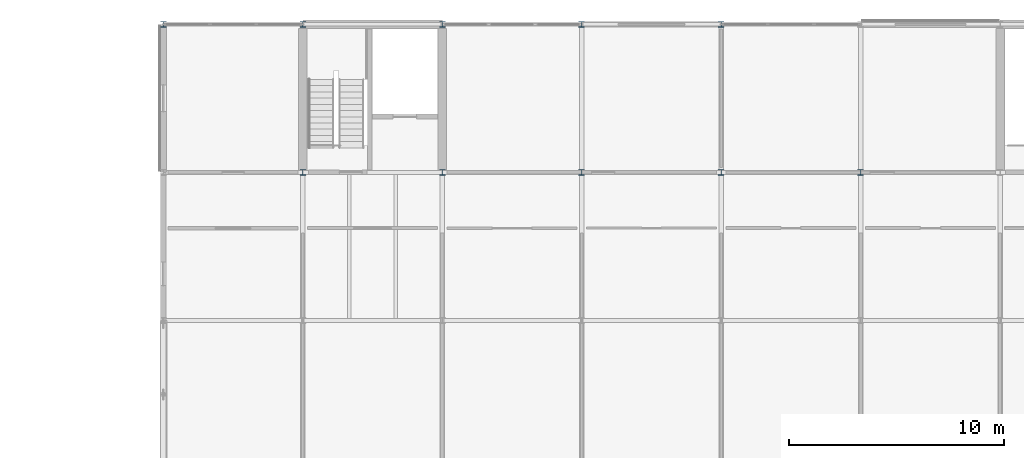
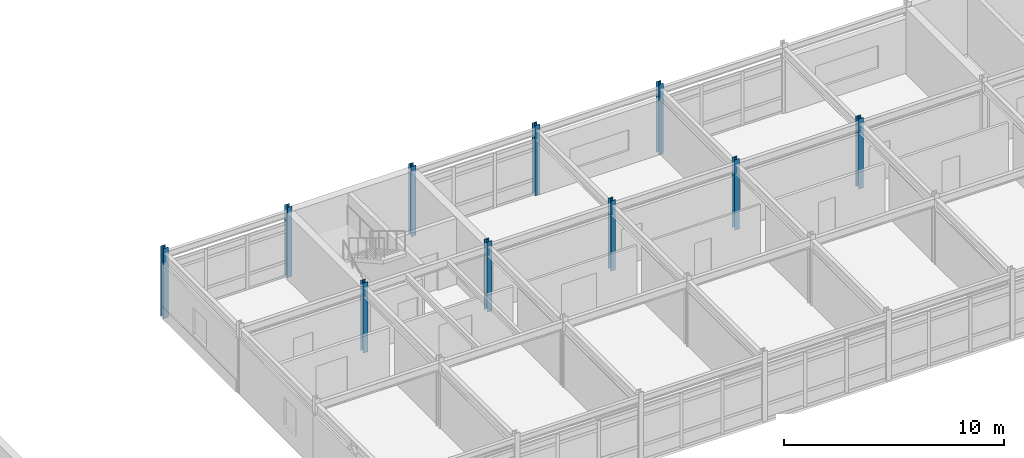
# One storey, part 9 of 57: 10 columns.
"""IFC4 building model written with IfcOpenShell, lengths in metres."""

from ifc_helpers import new_model, si_unit, direction, frame, origin, origin_2d, place, context, subcontext, project, spatial, i_section, extrude, material, material_profile, profile_set, type_object, element, save


model = new_model("IFC4")

# Units and contexts
model_context = context("Model", 3, precision=1e-05, world=origin(), true_north=direction((0.0, 1.0)))
body_context = subcontext(model_context, "Body", "Model", "MODEL_VIEW")
ifc_project = project(units=[si_unit("LENGTHUNIT", "METRE"), si_unit("AREAUNIT", "SQUARE_METRE"), si_unit("VOLUMEUNIT", "CUBIC_METRE"), si_unit("PLANEANGLEUNIT", "RADIAN"), si_unit("MASSUNIT", "GRAM", prefix="KILO")], contexts=[model_context])

# Site, building, storey
site_placement = place(None, origin())
site = spatial("IfcSite", under=ifc_project, at=site_placement, CompositionType="ELEMENT")
building_placement = place(site_placement, origin())
building = spatial("IfcBuilding", under=site, at=building_placement, Name="Trelmorton Wharf Fire Station", CompositionType="ELEMENT")
storey_placement = place(building_placement, frame((0.0, 0.0, 13.5)))
storey = spatial("IfcBuildingStorey", under=building, at=storey_placement, Name="L03", CompositionType="ELEMENT", Elevation=13.5)

# Columns
ifc_material = material(Name="Steel Grade 350", Category="steel")
ifc_material_profile = material_profile(ifc_material, i_section(OverallWidth=0.256103515625, OverallDepth=0.260009765625, WebThickness=0.010498046875, FlangeThickness=0.017333984375, FilletRadius=0.0126953125, at=origin_2d()), Name="250UC89.5")
ifc_profile_set = profile_set([ifc_material_profile], Name="Steel Grade 350")
column_type = type_object("IfcColumnType", Name="COL_250UC89", PredefinedType="COLUMN", material=ifc_profile_set)
for number, where, z_axis, x_axis, name in (
    (1, (104.0, 81.0, 0.0), (0.0, 0.0, 1.0), (1.0, 0.0, 0.0), "COL-L03-0623"),
    (2, (110.5, 74.10009765625, 0.0), (0.0, 0.0, 1.0), (1.0, 0.0, 0.0), "COL-L03-0630"),
    (3, (110.5, 81.0, 0.0), (0.0, 0.0, 1.0), (1.0, 0.0, 0.0), "COL-L03-0631"),
    (4, (117.0, 74.10009765625, 0.0), (0.0, 0.0, 1.0), (1.0, 0.0, 0.0), "COL-L03-0638"),
    (5, (117.0, 81.0, 0.0), (0.0, 0.0, 1.0), (1.0, 0.0, 0.0), "COL-L03-0639"),
    (6, (123.5, 74.10009765625, 0.0), (0.0, 0.0, 1.0), (1.0, 0.0, 0.0), "COL-L03-0646"),
    (7, (123.5, 81.0, 0.0), (0.0, 0.0, 1.0), (1.0, 0.0, 0.0), "COL-L03-0647"),
    (8, (130.0, 74.10009765625, 0.0), (0.0, 0.0, 1.0), (1.0, 0.0, 0.0), "COL-L03-0654"),
    (9, (130.0, 81.0, 0.0), (0.0, 0.0, 1.0), (1.0, 0.0, 0.0), "COL-L03-0655"),
    (10, (136.5, 74.10009765625, 0.0), (0.0, 0.0, 1.0), (1.0, 0.0, 0.0), "COL-L03-0662"),
):
    element("IfcColumn", number, at=place(storey_placement, frame(where, z_axis=z_axis, x_axis=x_axis)), inside=storey, type_object=column_type, Name=name, PredefinedType="COLUMN", context=body_context, shape_type="SweptSolid", body=[
        extrude(i_section(OverallWidth=0.256103515625, OverallDepth=0.260009765625, WebThickness=0.010498046875, FlangeThickness=0.017333984375, FilletRadius=0.0126953125, at=origin_2d()), origin(), (0.0, 0.0, 1.0), 3.89990234375),
    ])

save(model, "model.ifc")
